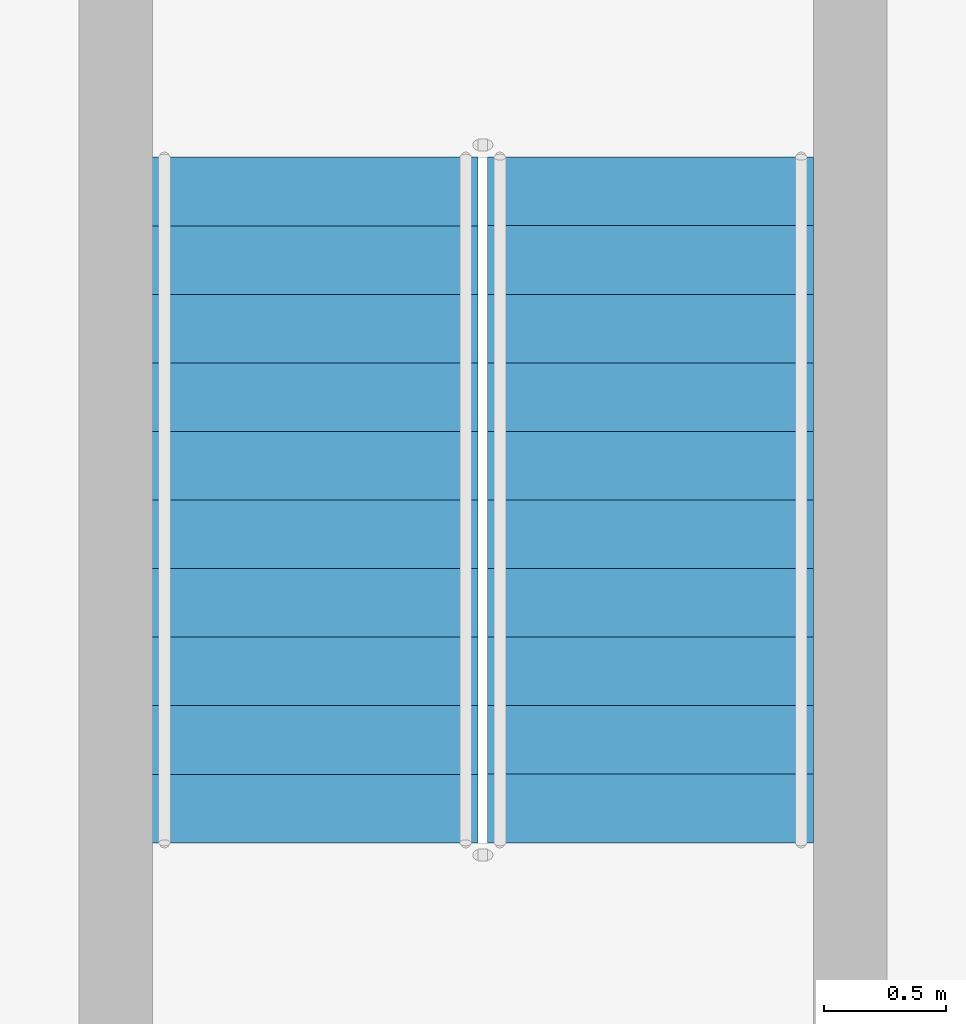
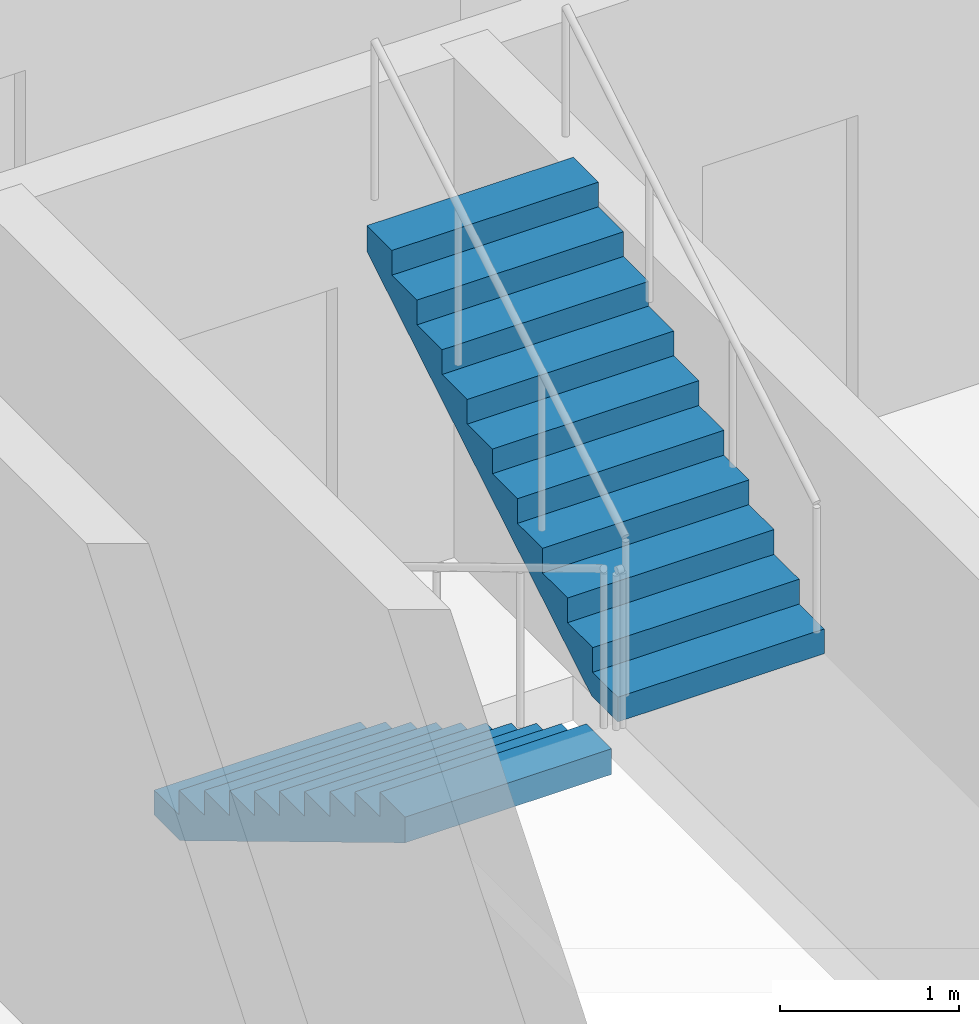
# One storey, part 15 of 23: 2 stair flights, 1 element without a shape of its own.
"""IFC4 building model written with IfcOpenShell, lengths in metres."""

from ifc_helpers import new_model, si_unit, direction, frame, origin, place, context, subcontext, project, spatial, triangles, source, transform, mapped, material, type_object, element, aggregate, save


model = new_model("IFC4")

# Units and contexts
model_context = context("Model", 3, precision=1e-05, world=origin(), true_north=direction((0.0, 1.0)))
body_context = subcontext(model_context, "Body", "Model", "MODEL_VIEW")
ifc_project = project(units=[si_unit("LENGTHUNIT", "METRE"), si_unit("AREAUNIT", "SQUARE_METRE"), si_unit("VOLUMEUNIT", "CUBIC_METRE"), si_unit("PLANEANGLEUNIT", "RADIAN"), si_unit("MASSUNIT", "GRAM", prefix="KILO")], contexts=[model_context])

# Site, building, storey
site_placement = place(None, origin())
site = spatial("IfcSite", under=ifc_project, at=site_placement, CompositionType="ELEMENT")
building_placement = place(site_placement, origin())
building = spatial("IfcBuilding", under=site, at=building_placement, Name="Ogive Portal Towers", CompositionType="ELEMENT")
storey_placement = place(building_placement, frame((0.0, 0.0, 127.800048828125)))
storey = spatial("IfcBuildingStorey", under=building, at=storey_placement, Name="L31", CompositionType="ELEMENT", Elevation=127.800048828125)

# Stair, stair flights
ifc_material = material(Name="Concrete C40/50", Category="concrete")
stair_type = type_object("IfcStairType", Name="INT-STAIR", PredefinedType="HALF_TURN_STAIR", material=ifc_material)
stair_placement = place(storey_placement, origin())
stair = element("IfcStair", 1, at=stair_placement, inside=storey, type_object=stair_type, Name="L31 Exit Stair ST-A4", PredefinedType="HALF_TURN_STAIR")
stair_flight_type = type_object("IfcStairFlightType", Name="INT-FLIGHT", PredefinedType="STRAIGHT", material=ifc_material)
shared_shape = source(origin(), body_context, "Body", "Tessellation", [
    triangles([(0.0, -0.6650390625, 0.0), (0.0, -0.384765625, 0.0), (0.0, -0.197021484375, 0.0), (0.0, -0.0830078125, 0.0), (0.0, -0.024658203125, 0.0), (0.0, -0.003173828125, 0.0), (0.0, 0.0, 0.0), (0.0, 0.003173828125, 0.0), (0.0, 0.024658203125, 0.0), (0.0, 0.0830078125, 0.0), (0.0, 0.197021484375, 0.0), (0.0, 0.384765625, 0.0), (0.0, 0.6650390625, 0.0), (0.0, -0.6650390625, 0.168212890625), (0.0, -0.384765625, 0.168212890625), (0.0, -0.197021484375, 0.168212890625), (0.0, -0.0830078125, 0.168212890625), (0.0, -0.024658203125, 0.168212890625), (0.0, -0.003173828125, 0.168212890625), (0.0, 0.0, 0.168212890625), (0.0, 0.003173828125, 0.168212890625), (0.0, 0.024658203125, 0.168212890625), (0.0, 0.0830078125, 0.168212890625), (0.0, 0.197021484375, 0.168212890625), (0.0, 0.384765625, 0.168212890625), (0.0, 0.6650390625, 0.168212890625), (0.280029296875, -0.6650390625, 0.168212890625), (0.280029296875, -0.384765625, 0.168212890625), (0.280029296875, -0.197021484375, 0.168212890625), (0.280029296875, -0.0830078125, 0.168212890625), (0.280029296875, -0.024658203125, 0.168212890625), (0.280029296875, -0.003173828125, 0.168212890625), (0.280029296875, 0.0, 0.168212890625), (0.280029296875, 0.003173828125, 0.168212890625), (0.280029296875, 0.024658203125, 0.168212890625), (0.280029296875, 0.0830078125, 0.168212890625), (0.280029296875, 0.197021484375, 0.168212890625), (0.280029296875, 0.384765625, 0.168212890625), (0.280029296875, 0.6650390625, 0.168212890625), (0.280029296875, -0.6650390625, 0.33642578125), (0.280029296875, -0.384765625, 0.33642578125), (0.280029296875, -0.197021484375, 0.33642578125), (0.280029296875, -0.0830078125, 0.33642578125), (0.280029296875, -0.024658203125, 0.33642578125), (0.280029296875, -0.003173828125, 0.33642578125), (0.280029296875, 0.0, 0.33642578125), (0.280029296875, 0.003173828125, 0.33642578125), (0.280029296875, 0.024658203125, 0.33642578125), (0.280029296875, 0.0830078125, 0.33642578125), (0.280029296875, 0.197021484375, 0.33642578125), (0.280029296875, 0.384765625, 0.33642578125), (0.280029296875, 0.6650390625, 0.33642578125), (0.56005859375, -0.6650390625, 0.33642578125), (0.56005859375, -0.384765625, 0.33642578125), (0.56005859375, -0.197021484375, 0.33642578125), (0.56005859375, -0.0830078125, 0.33642578125), (0.56005859375, -0.024658203125, 0.33642578125), (0.56005859375, -0.003173828125, 0.33642578125), (0.56005859375, 0.0, 0.33642578125), (0.56005859375, 0.003173828125, 0.33642578125), (0.56005859375, 0.024658203125, 0.33642578125), (0.56005859375, 0.0830078125, 0.33642578125), (0.56005859375, 0.197021484375, 0.33642578125), (0.56005859375, 0.384765625, 0.33642578125), (0.56005859375, 0.6650390625, 0.33642578125), (0.56005859375, -0.6650390625, 0.504638671875), (0.56005859375, -0.384765625, 0.504638671875), (0.56005859375, -0.197021484375, 0.504638671875), (0.56005859375, -0.0830078125, 0.504638671875), (0.56005859375, -0.024658203125, 0.504638671875), (0.56005859375, -0.003173828125, 0.504638671875), (0.56005859375, 0.0, 0.504638671875), (0.56005859375, 0.003173828125, 0.504638671875), (0.56005859375, 0.024658203125, 0.504638671875), (0.56005859375, 0.0830078125, 0.504638671875), (0.56005859375, 0.197021484375, 0.504638671875), (0.56005859375, 0.384765625, 0.504638671875), (0.56005859375, 0.6650390625, 0.504638671875), (0.840087890625, -0.6650390625, 0.504638671875), (0.840087890625, -0.384765625, 0.504638671875), (0.840087890625, -0.197021484375, 0.504638671875), (0.840087890625, -0.0830078125, 0.504638671875), (0.840087890625, -0.024658203125, 0.504638671875), (0.840087890625, -0.003173828125, 0.504638671875), (0.840087890625, 0.0, 0.504638671875), (0.840087890625, 0.003173828125, 0.504638671875), (0.840087890625, 0.024658203125, 0.504638671875), (0.840087890625, 0.0830078125, 0.504638671875), (0.840087890625, 0.197021484375, 0.504638671875), (0.840087890625, 0.384765625, 0.504638671875), (0.840087890625, 0.6650390625, 0.504638671875), (0.840087890625, -0.6650390625, 0.672607421875), (0.840087890625, -0.384765625, 0.672607421875), (0.840087890625, -0.197021484375, 0.672607421875), (0.840087890625, -0.0830078125, 0.672607421875), (0.840087890625, -0.024658203125, 0.672607421875), (0.840087890625, -0.003173828125, 0.672607421875), (0.840087890625, 0.0, 0.672607421875), (0.840087890625, 0.003173828125, 0.672607421875), (0.840087890625, 0.024658203125, 0.672607421875), (0.840087890625, 0.0830078125, 0.672607421875), (0.840087890625, 0.197021484375, 0.672607421875), (0.840087890625, 0.384765625, 0.672607421875), (0.840087890625, 0.6650390625, 0.672607421875), (1.1201171875, -0.6650390625, 0.672607421875), (1.1201171875, -0.384765625, 0.672607421875), (1.1201171875, -0.197021484375, 0.672607421875), (1.1201171875, -0.0830078125, 0.672607421875), (1.1201171875, -0.024658203125, 0.672607421875), (1.1201171875, -0.003173828125, 0.672607421875), (1.1201171875, 0.0, 0.672607421875), (1.1201171875, 0.003173828125, 0.672607421875), (1.1201171875, 0.024658203125, 0.672607421875), (1.1201171875, 0.0830078125, 0.672607421875), (1.1201171875, 0.197021484375, 0.672607421875), (1.1201171875, 0.384765625, 0.672607421875), (1.1201171875, 0.6650390625, 0.672607421875), (1.1201171875, -0.6650390625, 0.8408203125), (1.1201171875, -0.384765625, 0.8408203125), (1.1201171875, -0.197021484375, 0.8408203125), (1.1201171875, -0.0830078125, 0.8408203125), (1.1201171875, -0.024658203125, 0.8408203125), (1.1201171875, -0.003173828125, 0.8408203125), (1.1201171875, 0.0, 0.8408203125), (1.1201171875, 0.003173828125, 0.8408203125), (1.1201171875, 0.024658203125, 0.8408203125), (1.1201171875, 0.0830078125, 0.8408203125), (1.1201171875, 0.197021484375, 0.8408203125), (1.1201171875, 0.384765625, 0.8408203125), (1.1201171875, 0.6650390625, 0.8408203125), (1.39990234375, -0.6650390625, 0.8408203125), (1.39990234375, -0.384765625, 0.8408203125), (1.39990234375, -0.197021484375, 0.8408203125), (1.39990234375, -0.0830078125, 0.8408203125), (1.39990234375, -0.024658203125, 0.8408203125), (1.39990234375, -0.003173828125, 0.8408203125), (1.39990234375, 0.0, 0.8408203125), (1.39990234375, 0.003173828125, 0.8408203125), (1.39990234375, 0.024658203125, 0.8408203125), (1.39990234375, 0.0830078125, 0.8408203125), (1.39990234375, 0.197021484375, 0.8408203125), (1.39990234375, 0.384765625, 0.8408203125), (1.39990234375, 0.6650390625, 0.8408203125), (1.39990234375, -0.6650390625, 1.009033203125), (1.39990234375, -0.384765625, 1.009033203125), (1.39990234375, -0.197021484375, 1.009033203125), (1.39990234375, -0.0830078125, 1.009033203125), (1.39990234375, -0.024658203125, 1.009033203125), (1.39990234375, -0.003173828125, 1.009033203125), (1.39990234375, 0.0, 1.009033203125), (1.39990234375, 0.003173828125, 1.009033203125), (1.39990234375, 0.024658203125, 1.009033203125), (1.39990234375, 0.0830078125, 1.009033203125), (1.39990234375, 0.197021484375, 1.009033203125), (1.39990234375, 0.384765625, 1.009033203125), (1.39990234375, 0.6650390625, 1.009033203125), (1.679931640625, -0.6650390625, 1.009033203125), (1.679931640625, -0.384765625, 1.009033203125), (1.679931640625, -0.197021484375, 1.009033203125), (1.679931640625, -0.0830078125, 1.009033203125), (1.679931640625, -0.024658203125, 1.009033203125), (1.679931640625, -0.003173828125, 1.009033203125), (1.679931640625, 0.0, 1.009033203125), (1.679931640625, 0.003173828125, 1.009033203125), (1.679931640625, 0.024658203125, 1.009033203125), (1.679931640625, 0.0830078125, 1.009033203125), (1.679931640625, 0.197021484375, 1.009033203125), (1.679931640625, 0.384765625, 1.009033203125), (1.679931640625, 0.6650390625, 1.009033203125), (1.679931640625, -0.6650390625, 1.17724609375), (1.679931640625, -0.384765625, 1.17724609375), (1.679931640625, -0.197021484375, 1.17724609375), (1.679931640625, -0.0830078125, 1.17724609375), (1.679931640625, -0.024658203125, 1.17724609375), (1.679931640625, -0.003173828125, 1.17724609375), (1.679931640625, 0.0, 1.17724609375), (1.679931640625, 0.003173828125, 1.17724609375), (1.679931640625, 0.024658203125, 1.17724609375), (1.679931640625, 0.0830078125, 1.17724609375), (1.679931640625, 0.197021484375, 1.17724609375), (1.679931640625, 0.384765625, 1.17724609375), (1.679931640625, 0.6650390625, 1.17724609375), (1.9599609375, -0.6650390625, 1.17724609375), (1.9599609375, -0.384765625, 1.17724609375), (1.9599609375, -0.197021484375, 1.17724609375), (1.9599609375, -0.0830078125, 1.17724609375), (1.9599609375, -0.024658203125, 1.17724609375), (1.9599609375, -0.003173828125, 1.17724609375), (1.9599609375, 0.0, 1.17724609375), (1.9599609375, 0.003173828125, 1.17724609375), (1.9599609375, 0.024658203125, 1.17724609375), (1.9599609375, 0.0830078125, 1.17724609375), (1.9599609375, 0.197021484375, 1.17724609375), (1.9599609375, 0.384765625, 1.17724609375), (1.9599609375, 0.6650390625, 1.17724609375), (1.9599609375, -0.6650390625, 1.345458984375), (1.9599609375, -0.384765625, 1.345458984375), (1.9599609375, -0.197021484375, 1.345458984375), (1.9599609375, -0.0830078125, 1.345458984375), (1.9599609375, -0.024658203125, 1.345458984375), (1.9599609375, -0.003173828125, 1.345458984375), (1.9599609375, 0.0, 1.345458984375), (1.9599609375, 0.003173828125, 1.345458984375), (1.9599609375, 0.024658203125, 1.345458984375), (1.9599609375, 0.0830078125, 1.345458984375), (1.9599609375, 0.197021484375, 1.345458984375), (1.9599609375, 0.384765625, 1.345458984375), (1.9599609375, 0.6650390625, 1.345458984375), (2.239990234375, -0.6650390625, 1.345458984375), (2.239990234375, -0.384765625, 1.345458984375), (2.239990234375, -0.197021484375, 1.345458984375), (2.239990234375, -0.0830078125, 1.345458984375), (2.239990234375, -0.024658203125, 1.345458984375), (2.239990234375, -0.003173828125, 1.345458984375), (2.239990234375, 0.0, 1.345458984375), (2.239990234375, 0.003173828125, 1.345458984375), (2.239990234375, 0.024658203125, 1.345458984375), (2.239990234375, 0.0830078125, 1.345458984375), (2.239990234375, 0.197021484375, 1.345458984375), (2.239990234375, 0.384765625, 1.345458984375), (2.239990234375, 0.6650390625, 1.345458984375), (2.239990234375, -0.6650390625, 1.513671875), (2.239990234375, -0.384765625, 1.513671875), (2.239990234375, -0.197021484375, 1.513671875), (2.239990234375, -0.0830078125, 1.513671875), (2.239990234375, -0.024658203125, 1.513671875), (2.239990234375, -0.003173828125, 1.513671875), (2.239990234375, 0.0, 1.513671875), (2.239990234375, 0.003173828125, 1.513671875), (2.239990234375, 0.024658203125, 1.513671875), (2.239990234375, 0.0830078125, 1.513671875), (2.239990234375, 0.197021484375, 1.513671875), (2.239990234375, 0.384765625, 1.513671875), (2.239990234375, 0.6650390625, 1.513671875), (2.52001953125, -0.6650390625, 1.513671875), (2.52001953125, -0.384765625, 1.513671875), (2.52001953125, -0.197021484375, 1.513671875), (2.52001953125, -0.0830078125, 1.513671875), (2.52001953125, -0.024658203125, 1.513671875), (2.52001953125, -0.003173828125, 1.513671875), (2.52001953125, 0.0, 1.513671875), (2.52001953125, 0.003173828125, 1.513671875), (2.52001953125, 0.024658203125, 1.513671875), (2.52001953125, 0.0830078125, 1.513671875), (2.52001953125, 0.197021484375, 1.513671875), (2.52001953125, 0.384765625, 1.513671875), (2.52001953125, 0.6650390625, 1.513671875), (2.52001953125, -0.6650390625, 1.681884765625), (2.52001953125, -0.384765625, 1.681884765625), (2.52001953125, -0.197021484375, 1.681884765625), (2.52001953125, -0.0830078125, 1.681884765625), (2.52001953125, -0.024658203125, 1.681884765625), (2.52001953125, -0.003173828125, 1.681884765625), (2.52001953125, 0.0, 1.681884765625), (2.52001953125, 0.003173828125, 1.681884765625), (2.52001953125, 0.024658203125, 1.681884765625), (2.52001953125, 0.0830078125, 1.681884765625), (2.52001953125, 0.197021484375, 1.681884765625), (2.52001953125, 0.384765625, 1.681884765625), (2.52001953125, 0.6650390625, 1.681884765625), (2.800048828125, -0.6650390625, 1.681884765625), (2.800048828125, -0.384765625, 1.681884765625), (2.800048828125, -0.197021484375, 1.681884765625), (2.800048828125, -0.0830078125, 1.681884765625), (2.800048828125, -0.024658203125, 1.681884765625), (2.800048828125, -0.003173828125, 1.681884765625), (2.800048828125, 0.0, 1.681884765625), (2.800048828125, 0.003173828125, 1.681884765625), (2.800048828125, 0.024658203125, 1.681884765625), (2.800048828125, 0.0830078125, 1.681884765625), (2.800048828125, 0.197021484375, 1.681884765625), (2.800048828125, 0.384765625, 1.681884765625), (2.800048828125, 0.6650390625, 1.681884765625), (2.800048828125, -0.6650390625, 1.5068359375), (2.800048828125, -0.384765625, 1.5068359375), (2.800048828125, -0.197021484375, 1.5068359375), (2.800048828125, -0.0830078125, 1.5068359375), (2.800048828125, -0.024658203125, 1.5068359375), (2.800048828125, -0.003173828125, 1.5068359375), (2.800048828125, 0.0, 1.5068359375), (2.800048828125, 0.003173828125, 1.5068359375), (2.800048828125, 0.024658203125, 1.5068359375), (2.800048828125, 0.0830078125, 1.5068359375), (2.800048828125, 0.197021484375, 1.5068359375), (2.800048828125, 0.384765625, 1.5068359375), (2.800048828125, 0.6650390625, 1.5068359375), (0.291015625, -0.6650390625, 0.0), (0.291015625, -0.384765625, 0.0), (0.291015625, -0.197021484375, 0.0), (0.291015625, -0.0830078125, 0.0), (0.291015625, -0.024658203125, 0.0), (0.291015625, -0.003173828125, 0.0), (0.291015625, 0.0, 0.0), (0.291015625, 0.003173828125, 0.0), (0.291015625, 0.024658203125, 0.0), (0.291015625, 0.0830078125, 0.0), (0.291015625, 0.197021484375, 0.0), (0.291015625, 0.384765625, 0.0), (0.291015625, 0.6650390625, 0.0)], [[1, 14, 15], [1, 15, 2], [2, 15, 16], [2, 16, 3], [3, 16, 17], [3, 17, 4], [4, 17, 18], [4, 18, 5], [5, 18, 19], [5, 19, 6], [6, 19, 20], [6, 20, 7], [7, 20, 21], [7, 21, 8], [8, 21, 22], [8, 22, 9], [9, 22, 23], [9, 23, 10], [10, 23, 24], [10, 24, 11], [11, 24, 25], [11, 25, 12], [12, 25, 26], [12, 26, 13], [14, 27, 28], [14, 28, 15], [15, 28, 29], [15, 29, 16], [16, 29, 30], [16, 30, 17], [17, 30, 31], [17, 31, 18], [18, 31, 32], [18, 32, 19], [19, 32, 33], [19, 33, 20], [20, 33, 34], [20, 34, 21], [21, 34, 35], [21, 35, 22], [22, 35, 36], [22, 36, 23], [23, 36, 37], [23, 37, 24], [24, 37, 38], [24, 38, 25], [25, 38, 39], [25, 39, 26], [27, 40, 41], [27, 41, 28], [28, 41, 42], [28, 42, 29], [29, 42, 43], [29, 43, 30], [30, 43, 44], [30, 44, 31], [31, 44, 45], [31, 45, 32], [32, 45, 46], [32, 46, 33], [33, 46, 47], [33, 47, 34], [34, 47, 48], [34, 48, 35], [35, 48, 49], [35, 49, 36], [36, 49, 50], [36, 50, 37], [37, 50, 51], [37, 51, 38], [38, 51, 52], [38, 52, 39], [40, 53, 54], [40, 54, 41], [41, 54, 55], [41, 55, 42], [42, 55, 56], [42, 56, 43], [43, 56, 57], [43, 57, 44], [44, 57, 58], [44, 58, 45], [45, 58, 59], [45, 59, 46], [46, 59, 60], [46, 60, 47], [47, 60, 61], [47, 61, 48], [48, 61, 62], [48, 62, 49], [49, 62, 63], [49, 63, 50], [50, 63, 64], [50, 64, 51], [51, 64, 65], [51, 65, 52], [53, 66, 67], [53, 67, 54], [54, 67, 68], [54, 68, 55], [55, 68, 69], [55, 69, 56], [56, 69, 70], [56, 70, 57], [57, 70, 71], [57, 71, 58], [58, 71, 72], [58, 72, 59], [59, 72, 73], [59, 73, 60], [60, 73, 74], [60, 74, 61], [61, 74, 75], [61, 75, 62], [62, 75, 76], [62, 76, 63], [63, 76, 77], [63, 77, 64], [64, 77, 78], [64, 78, 65], [66, 79, 80], [66, 80, 67], [67, 80, 81], [67, 81, 68], [68, 81, 82], [68, 82, 69], [69, 82, 83], [69, 83, 70], [70, 83, 84], [70, 84, 71], [71, 84, 85], [71, 85, 72], [72, 85, 86], [72, 86, 73], [73, 86, 87], [73, 87, 74], [74, 87, 88], [74, 88, 75], [75, 88, 89], [75, 89, 76], [76, 89, 90], [76, 90, 77], [77, 90, 91], [77, 91, 78], [79, 92, 93], [79, 93, 80], [80, 93, 94], [80, 94, 81], [81, 94, 95], [81, 95, 82], [82, 95, 96], [82, 96, 83], [83, 96, 97], [83, 97, 84], [84, 97, 98], [84, 98, 85], [85, 98, 99], [85, 99, 86], [86, 99, 100], [86, 100, 87], [87, 100, 101], [87, 101, 88], [88, 101, 102], [88, 102, 89], [89, 102, 103], [89, 103, 90], [90, 103, 104], [90, 104, 91], [92, 105, 106], [92, 106, 93], [93, 106, 107], [93, 107, 94], [94, 107, 108], [94, 108, 95], [95, 108, 109], [95, 109, 96], [96, 109, 110], [96, 110, 97], [97, 110, 111], [97, 111, 98], [98, 111, 112], [98, 112, 99], [99, 112, 113], [99, 113, 100], [100, 113, 114], [100, 114, 101], [101, 114, 115], [101, 115, 102], [102, 115, 116], [102, 116, 103], [103, 116, 117], [103, 117, 104], [105, 118, 119], [105, 119, 106], [106, 119, 120], [106, 120, 107], [107, 120, 121], [107, 121, 108], [108, 121, 122], [108, 122, 109], [109, 122, 123], [109, 123, 110], [110, 123, 124], [110, 124, 111], [111, 124, 125], [111, 125, 112], [112, 125, 126], [112, 126, 113], [113, 126, 127], [113, 127, 114], [114, 127, 128], [114, 128, 115], [115, 128, 129], [115, 129, 116], [116, 129, 130], [116, 130, 117], [118, 131, 132], [118, 132, 119], [119, 132, 133], [119, 133, 120], [120, 133, 134], [120, 134, 121], [121, 134, 135], [121, 135, 122], [122, 135, 136], [122, 136, 123], [123, 136, 137], [123, 137, 124], [124, 137, 138], [124, 138, 125], [125, 138, 139], [125, 139, 126], [126, 139, 140], [126, 140, 127], [127, 140, 141], [127, 141, 128], [128, 141, 142], [128, 142, 129], [129, 142, 143], [129, 143, 130], [131, 144, 145], [131, 145, 132], [132, 145, 146], [132, 146, 133], [133, 146, 147], [133, 147, 134], [134, 147, 148], [134, 148, 135], [135, 148, 149], [135, 149, 136], [136, 149, 150], [136, 150, 137], [137, 150, 151], [137, 151, 138], [138, 151, 152], [138, 152, 139], [139, 152, 153], [139, 153, 140], [140, 153, 154], [140, 154, 141], [141, 154, 155], [141, 155, 142], [142, 155, 156], [142, 156, 143], [144, 157, 158], [144, 158, 145], [145, 158, 159], [145, 159, 146], [146, 159, 160], [146, 160, 147], [147, 160, 161], [147, 161, 148], [148, 161, 162], [148, 162, 149], [149, 162, 163], [149, 163, 150], [150, 163, 164], [150, 164, 151], [151, 164, 165], [151, 165, 152], [152, 165, 166], [152, 166, 153], [153, 166, 167], [153, 167, 154], [154, 167, 168], [154, 168, 155], [155, 168, 169], [155, 169, 156], [157, 170, 171], [157, 171, 158], [158, 171, 172], [158, 172, 159], [159, 172, 173], [159, 173, 160], [160, 173, 174], [160, 174, 161], [161, 174, 175], [161, 175, 162], [162, 175, 176], [162, 176, 163], [163, 176, 177], [163, 177, 164], [164, 177, 178], [164, 178, 165], [165, 178, 179], [165, 179, 166], [166, 179, 180], [166, 180, 167], [167, 180, 181], [167, 181, 168], [168, 181, 182], [168, 182, 169], [170, 183, 184], [170, 184, 171], [171, 184, 185], [171, 185, 172], [172, 185, 186], [172, 186, 173], [173, 186, 187], [173, 187, 174], [174, 187, 188], [174, 188, 175], [175, 188, 189], [175, 189, 176], [176, 189, 190], [176, 190, 177], [177, 190, 191], [177, 191, 178], [178, 191, 192], [178, 192, 179], [179, 192, 193], [179, 193, 180], [180, 193, 194], [180, 194, 181], [181, 194, 195], [181, 195, 182], [183, 196, 197], [183, 197, 184], [184, 197, 198], [184, 198, 185], [185, 198, 199], [185, 199, 186], [186, 199, 200], [186, 200, 187], [187, 200, 201], [187, 201, 188], [188, 201, 202], [188, 202, 189], [189, 202, 203], [189, 203, 190], [190, 203, 204], [190, 204, 191], [191, 204, 205], [191, 205, 192], [192, 205, 206], [192, 206, 193], [193, 206, 207], [193, 207, 194], [194, 207, 208], [194, 208, 195], [196, 209, 210], [196, 210, 197], [197, 210, 211], [197, 211, 198], [198, 211, 212], [198, 212, 199], [199, 212, 213], [199, 213, 200], [200, 213, 214], [200, 214, 201], [201, 214, 215], [201, 215, 202], [202, 215, 216], [202, 216, 203], [203, 216, 217], [203, 217, 204], [204, 217, 218], [204, 218, 205], [205, 218, 219], [205, 219, 206], [206, 219, 220], [206, 220, 207], [207, 220, 221], [207, 221, 208], [209, 222, 223], [209, 223, 210], [210, 223, 224], [210, 224, 211], [211, 224, 225], [211, 225, 212], [212, 225, 226], [212, 226, 213], [213, 226, 227], [213, 227, 214], [214, 227, 228], [214, 228, 215], [215, 228, 229], [215, 229, 216], [216, 229, 230], [216, 230, 217], [217, 230, 231], [217, 231, 218], [218, 231, 232], [218, 232, 219], [219, 232, 233], [219, 233, 220], [220, 233, 234], [220, 234, 221], [222, 235, 236], [222, 236, 223], [223, 236, 237], [223, 237, 224], [224, 237, 238], [224, 238, 225], [225, 238, 239], [225, 239, 226], [226, 239, 240], [226, 240, 227], [227, 240, 241], [227, 241, 228], [228, 241, 242], [228, 242, 229], [229, 242, 243], [229, 243, 230], [230, 243, 244], [230, 244, 231], [231, 244, 245], [231, 245, 232], [232, 245, 246], [232, 246, 233], [233, 246, 247], [233, 247, 234], [235, 248, 249], [235, 249, 236], [236, 249, 250], [236, 250, 237], [237, 250, 251], [237, 251, 238], [238, 251, 252], [238, 252, 239], [239, 252, 253], [239, 253, 240], [240, 253, 254], [240, 254, 241], [241, 254, 255], [241, 255, 242], [242, 255, 256], [242, 256, 243], [243, 256, 257], [243, 257, 244], [244, 257, 258], [244, 258, 245], [245, 258, 259], [245, 259, 246], [246, 259, 260], [246, 260, 247], [248, 261, 262], [248, 262, 249], [249, 262, 263], [249, 263, 250], [250, 263, 264], [250, 264, 251], [251, 264, 265], [251, 265, 252], [252, 265, 266], [252, 266, 253], [253, 266, 267], [253, 267, 254], [254, 267, 268], [254, 268, 255], [255, 268, 269], [255, 269, 256], [256, 269, 270], [256, 270, 257], [257, 270, 271], [257, 271, 258], [258, 271, 272], [258, 272, 259], [259, 272, 273], [259, 273, 260], [261, 274, 275], [261, 275, 262], [262, 275, 276], [262, 276, 263], [263, 276, 277], [263, 277, 264], [264, 277, 278], [264, 278, 265], [265, 278, 279], [265, 279, 266], [266, 279, 280], [266, 280, 267], [267, 280, 281], [267, 281, 268], [268, 281, 282], [268, 282, 269], [269, 282, 283], [269, 283, 270], [270, 283, 284], [270, 284, 271], [271, 284, 285], [271, 285, 272], [272, 285, 286], [272, 286, 273], [274, 287, 288], [274, 288, 275], [275, 288, 289], [275, 289, 276], [276, 289, 290], [276, 290, 277], [277, 290, 291], [277, 291, 278], [278, 291, 292], [278, 292, 279], [279, 292, 293], [279, 293, 280], [280, 293, 294], [280, 294, 281], [281, 294, 295], [281, 295, 282], [282, 295, 296], [282, 296, 283], [283, 296, 297], [283, 297, 284], [284, 297, 298], [284, 298, 285], [285, 298, 299], [285, 299, 286], [287, 1, 2], [287, 2, 288], [288, 2, 3], [288, 3, 289], [289, 3, 4], [289, 4, 290], [290, 4, 5], [290, 5, 291], [291, 5, 6], [291, 6, 292], [292, 6, 7], [292, 7, 293], [293, 7, 8], [293, 8, 294], [294, 8, 9], [294, 9, 295], [295, 9, 10], [295, 10, 296], [296, 10, 11], [296, 11, 297], [297, 11, 12], [297, 12, 298], [298, 12, 13], [298, 13, 299], [1, 287, 274], [13, 286, 299], [274, 261, 248], [286, 260, 273], [274, 248, 235], [286, 247, 260], [274, 235, 222], [286, 234, 247], [274, 222, 209], [286, 221, 234], [209, 196, 183], [221, 195, 208], [274, 209, 183], [286, 195, 221], [183, 170, 157], [195, 169, 182], [274, 183, 157], [286, 169, 195], [157, 144, 131], [169, 143, 156], [274, 157, 131], [286, 143, 169], [131, 118, 105], [143, 117, 130], [274, 131, 105], [286, 117, 143], [1, 274, 105], [13, 117, 286], [105, 92, 79], [117, 91, 104], [79, 66, 53], [91, 65, 78], [105, 79, 53], [117, 65, 91], [53, 40, 27], [65, 39, 52], [105, 53, 27], [117, 39, 65], [1, 105, 27], [13, 39, 117], [27, 14, 1], [39, 13, 26]], closed=True),
])
stair_flight_1_placement = place(storey_placement, frame((87.6650390625, 29.169921875, 0.0), z_axis=(0.0, 0.0, 1.0), x_axis=(0.0, -1.0, 0.0)))
stair_flight_1 = element("IfcStairFlight", 2, at=stair_flight_1_placement, type_object=stair_flight_type, Name="ST-A4 flight 1", NumberOfRisers=11, NumberOfTreads=10, PredefinedType="STRAIGHT", RiserHeight=0.168181818, TreadLength=0.28, context=body_context, shape_type="MappedRepresentation", body=[
    mapped(shared_shape, transform((0.0, 0.0, 0.0), scale=1.0)),
])
stair_flight_2_placement = place(storey_placement, frame((89.034912109375, 26.3701171875, 1.849853515625), z_axis=(0.0, 0.0, 1.0), x_axis=(0.0, 1.0, 0.0)))
stair_flight_2 = element("IfcStairFlight", 3, at=stair_flight_2_placement, type_object=stair_flight_type, Name="ST-A4 flight 2", NumberOfRisers=11, NumberOfTreads=10, PredefinedType="STRAIGHT", RiserHeight=0.168181818, TreadLength=0.28, context=body_context, shape_type="MappedRepresentation", body=[
    mapped(shared_shape, transform((0.0, 0.0, 0.0), scale=1.0)),
])
aggregate(stair, [stair_flight_1, stair_flight_2])

save(model, "model.ifc")
